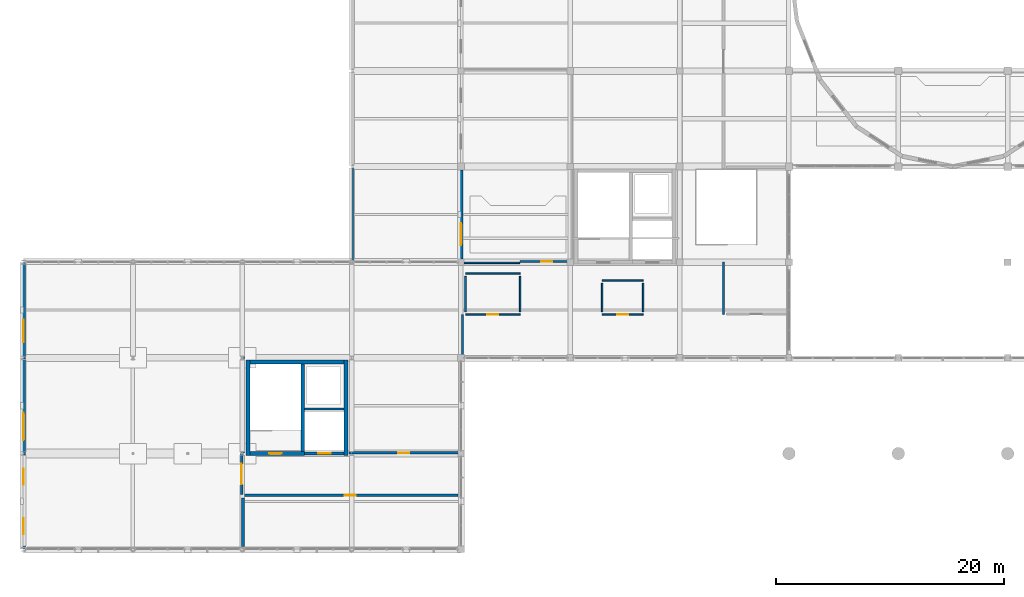
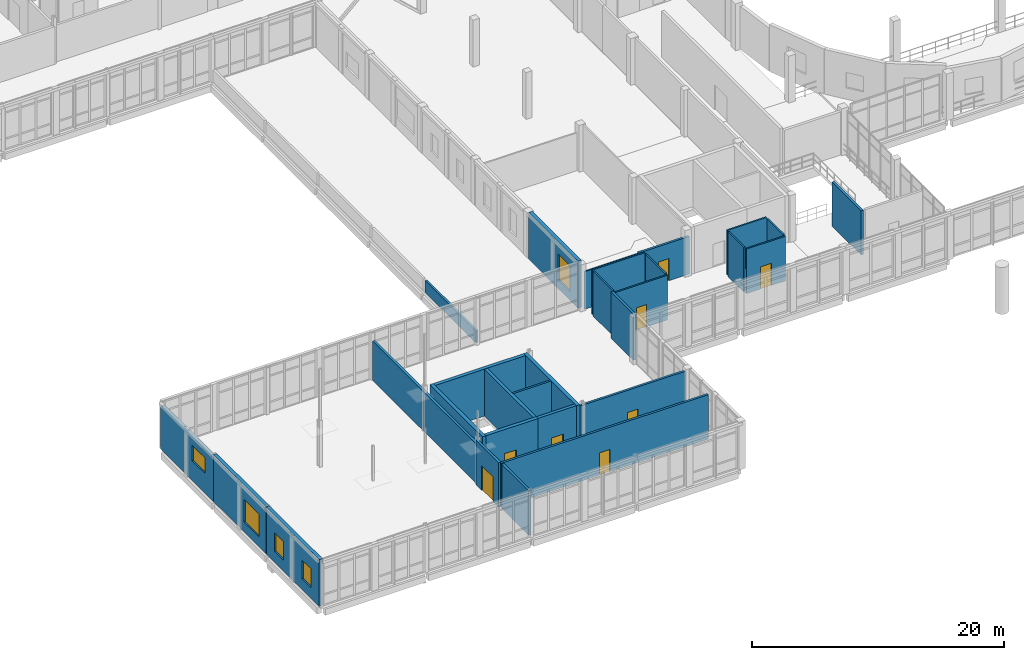
# One storey, part 72 of 88: 29 walls, 8 doors, 5 windows, 13 openings.
"""IFC4 building model written with IfcOpenShell, lengths in metres."""

from ifc_helpers import new_model, si_unit, direction, frame, frame_2d, origin, place, context, subcontext, project, spatial, rectangle, extrude, material, layer, layer_set, type_object, element, fill, save


model = new_model("IFC4")

# Units and contexts
model_context = context("Model", 3, precision=1e-05, world=origin(), true_north=direction((0.0, 1.0)))
body_context = subcontext(model_context, "Body", "Model", "MODEL_VIEW")
ifc_project = project(units=[si_unit("LENGTHUNIT", "METRE"), si_unit("AREAUNIT", "SQUARE_METRE"), si_unit("VOLUMEUNIT", "CUBIC_METRE"), si_unit("PLANEANGLEUNIT", "RADIAN"), si_unit("MASSUNIT", "GRAM", prefix="KILO")], contexts=[model_context])

# Site, building, storey
site_placement = place(None, origin())
site = spatial("IfcSite", under=ifc_project, at=site_placement, CompositionType="ELEMENT")
building_placement = place(site_placement, origin())
building = spatial("IfcBuilding", under=site, at=building_placement, Name="Lornevale Opera House", CompositionType="ELEMENT")
storey_placement = place(building_placement, frame((0.0, 0.0, 10.199951171875)))
storey = spatial("IfcBuildingStorey", under=building, at=storey_placement, Name="L03", CompositionType="ELEMENT", Elevation=10.199951171875)

# Wall, opening, door
ifc_material_1 = material(Name="Concrete 40 MPa (CSA A23.1 C-1)", Category="concrete")
ifc_layer_1 = layer(ifc_material_1, 0.320068359375)
ifc_layer_set_1 = layer_set([ifc_layer_1], Name="Concrete 40 MPa (CSA A23.1 C-1)")
wall_type_1 = type_object("IfcWallType", Name="Core Shear Wall 320", PredefinedType="SHEAR", material=ifc_layer_set_1)
wall_1_placement = place(storey_placement, frame((19.860107421875, 8.39990234375, 0.0), z_axis=(0.0, 0.0, 1.0), x_axis=(1.0, 0.0, 0.0)))
wall_1 = element("IfcWall", 1, at=wall_1_placement, inside=storey, type_object=wall_type_1, Name="Chamber Pavilion Core Core Shear Wall 320 WL-COR-0106", PredefinedType="SHEAR", context=body_context, shape_type="SweptSolid", body=[
    extrude(rectangle(XDim=4.77978515625, YDim=0.320068359375, at=frame_2d((2.389892578125, 0.0))), origin(), (0.0, 0.0, 1.0), 4.5400390625),
])
opening_1_placement = place(wall_1_placement, frame((1.68994140625, 0.0, 0.0)))
opening_1 = element("IfcOpeningElement", 2, at=opening_1_placement, cuts=wall_1, Name="Opening DR-T10", PredefinedType="OPENING", context=body_context, shape_type="SweptSolid", body=[
    extrude(rectangle(XDim=1.10009765625, YDim=2.199951171875, at=frame_2d((0.550048828125, 1.10009765625))), frame((0.0, 0.169921875, 0.0), z_axis=(0.0, -1.0, 0.0), x_axis=(1.0, 0.0, 0.0)), (0.0, 0.0, 1.0), 0.340087890625),
])
ifc_material_2 = material(Name="Painted Hollow Metal Door Steel", Category="steel")
ifc_layer_2 = layer(ifc_material_2, 2.199951171875)
ifc_layer_set_2 = layer_set([ifc_layer_2], Name="Painted Hollow Metal Door Steel")
door_type_1 = type_object("IfcDoorType", Name="Protected Exit Stair Door L 1100x2200", OperationType="NOTDEFINED", PredefinedType="DOOR", material=ifc_layer_set_2)
door_1_placement = place(opening_1_placement, origin())
door_1 = element("IfcDoor", 3, at=door_1_placement, inside=storey, type_object=door_type_1, Name="C3 Stair Door L03", OperationType="SINGLE_SWING_LEFT", OverallHeight=2.199951171875, OverallWidth=1.10009765625, PredefinedType="DOOR", context=body_context, shape_type="SweptSolid", body=[
    extrude(rectangle(XDim=1.10009765625, YDim=2.199951171875, at=frame_2d((0.550048828125, 1.10009765625))), frame((0.0, 0.02490234375, 0.0), z_axis=(0.0, -1.0, 0.0), x_axis=(1.0, 0.0, 0.0)), (0.0, 0.0, 1.0), 0.050048828125),
])
fill(opening_1, door_1)

# Walls
wall_2_placement = place(storey_placement, frame((28.139892578125, 16.43994140625, 0.0), z_axis=(0.0, 0.0, 1.0), x_axis=(-1.0, 0.0, 0.0)))
element("IfcWall", 4, at=wall_2_placement, inside=storey, type_object=wall_type_1, Name="Chamber Pavilion Core Core Shear Wall 320 WL-COR-0108", PredefinedType="SHEAR", context=body_context, shape_type="SweptSolid", body=[
    extrude(rectangle(XDim=8.27978515625, YDim=0.320068359375, at=frame_2d((4.139892578125, 0.0))), origin(), (0.0, 0.0, 1.0), 4.5400390625),
])
for number, where, z_axis, x_axis, name in (
    (5, (19.699951171875, 16.60009765625, 0.0), (0.0, 0.0, 1.0), (0.0, -1.0, 0.0), "Chamber Pavilion Core Core Shear Wall 320 WL-COR-0109"),
    (6, (28.300048828125, 8.239990234375, 0.0), (0.0, 0.0, 1.0), (0.0, 1.0, 0.0), "Chamber Pavilion Core Core Shear Wall 320 WL-COR-0110"),
):
    element("IfcWall", number, at=place(storey_placement, frame(where, z_axis=z_axis, x_axis=x_axis)), inside=storey, type_object=wall_type_1, Name=name, PredefinedType="SHEAR", context=body_context, shape_type="SweptSolid", body=[
        extrude(rectangle(XDim=8.360107421875, YDim=0.320068359375, at=frame_2d((4.18017578125, 0.0))), origin(), (0.0, 0.0, 1.0), 4.5400390625),
    ])
ifc_material_3 = material(Name="Acoustic Mineral-Core Gypsum Partition", Category="gypsum")
ifc_layer_3 = layer(ifc_material_3, 0.125)
ifc_layer_set_3 = layer_set([ifc_layer_3], Name="Acoustic Mineral-Core Gypsum Partition")
wall_type_2 = type_object("IfcWallType", Name="Dressing Suite Partition 125", PredefinedType="PARTITIONING", material=ifc_layer_set_3)
wall_3_placement = place(storey_placement, frame((38.6201171875, 25.139892578125, 0.0), z_axis=(0.0, 0.0, 1.0), x_axis=(1.0, 0.0, 0.0)))
element("IfcWall", 7, at=wall_3_placement, inside=storey, type_object=wall_type_2, Name="L03 Partition WL-INT-0854", PredefinedType="PARTITIONING", context=body_context, shape_type="SweptSolid", body=[
    extrude(rectangle(XDim=4.919921875, YDim=0.125, at=frame_2d((2.4599609375, 0.0))), origin(), (0.0, 0.0, 1.0), 3.649169921875),
])

# Wall, opening, door
ifc_layer_4 = layer(ifc_material_1, 0.280029296875)
ifc_layer_set_4 = layer_set([ifc_layer_4], Name="Concrete 40 MPa (CSA A23.1 C-1)")
wall_type_3 = type_object("IfcWallType", Name="Elevator Shaft Wall 280", PredefinedType="SHEAR", material=ifc_layer_set_4)
wall_4_placement = place(storey_placement, frame((24.639892578125, 8.39990234375, 0.0), z_axis=(0.0, 0.0, 1.0), x_axis=(1.0, 0.0, 0.0)))
wall_4 = element("IfcWall", 8, at=wall_4_placement, inside=storey, type_object=wall_type_3, Name="Chamber Pavilion Core Elevator Shaft Wall 280 WL-COR-0107", PredefinedType="SHEAR", context=body_context, shape_type="SweptSolid", body=[
    extrude(rectangle(XDim=3.5, YDim=0.280029296875, at=frame_2d((1.75, 0.0))), origin(), (0.0, 0.0, 1.0), 4.5400390625),
])
opening_2_placement = place(wall_4_placement, frame((1.2099609375, 0.0, 0.0)))
opening_2 = element("IfcOpeningElement", 9, at=opening_2_placement, cuts=wall_4, Name="Opening DR-T25", PredefinedType="OPENING", context=body_context, shape_type="SweptSolid", body=[
    extrude(rectangle(XDim=1.10009765625, YDim=2.199951171875, at=frame_2d((0.550048828125, 1.10009765625))), frame((0.0, 0.14990234375, 0.0), z_axis=(0.0, -1.0, 0.0), x_axis=(1.0, 0.0, 0.0)), (0.0, 0.0, 1.0), 0.300048828125),
])
ifc_layer_5 = layer(ifc_material_2, 2.199951171875)
ifc_layer_set_5 = layer_set([ifc_layer_5], Name="Painted Hollow Metal Door Steel")
door_type_2 = type_object("IfcDoorType", Name="Passenger Lift Landing Door 1100x2200", OperationType="NOTDEFINED", PredefinedType="DOOR", material=ifc_layer_set_5)
door_2_placement = place(opening_2_placement, origin())
door_2 = element("IfcDoor", 10, at=door_2_placement, inside=storey, type_object=door_type_2, Name="L-P3 Landing Door L03", OperationType="SLIDING_TO_LEFT", OverallHeight=2.199951171875, OverallWidth=1.10009765625, PredefinedType="DOOR", context=body_context, shape_type="SweptSolid", body=[
    extrude(rectangle(XDim=1.10009765625, YDim=2.199951171875, at=frame_2d((0.550048828125, 1.10009765625))), frame((0.0, 0.02490234375, 0.0), z_axis=(0.0, -1.0, 0.0), x_axis=(1.0, 0.0, 0.0)), (0.0, 0.0, 1.0), 0.050048828125),
])
fill(opening_2, door_2)

# Walls
wall_5_placement = place(storey_placement, frame((24.5, 8.56005859375, 0.0), z_axis=(0.0, 0.0, 1.0), x_axis=(0.0, 1.0, 0.0)))
element("IfcWall", 11, at=wall_5_placement, inside=storey, type_object=wall_type_3, Name="Chamber Pavilion Core Elevator Shaft Wall 280 WL-COR-0111", PredefinedType="SHEAR", context=body_context, shape_type="SweptSolid", body=[
    extrude(rectangle(XDim=7.719970703125, YDim=0.280029296875, at=frame_2d((3.85986328125, 0.0))), origin(), (0.0, 0.0, 1.0), 4.5400390625),
])
ifc_material_4 = material(Name="Precast Concrete 40 MPa (CSA A23.1 C-1)", Category="concrete")
ifc_layer_6 = layer(ifc_material_4, 0.195068359375)
ifc_layer_set_6 = layer_set([ifc_layer_6], Name="Precast Concrete 40 MPa (CSA A23.1 C-1)")
wall_type_4 = type_object("IfcWallType", Name="Green Roof Parapet Wall 195", PredefinedType="PARAPET", material=ifc_layer_set_6)
wall_6_placement = place(storey_placement, frame((28.929931640625, 25.360107421875, 0.0), z_axis=(0.0, 0.0, 1.0), x_axis=(0.0, 1.0, 0.0)))
element("IfcWall", 12, at=wall_6_placement, inside=storey, type_object=wall_type_4, Name="Green Roof Parapet Wall 195 0401", PredefinedType="PARAPET", context=body_context, shape_type="SweptSolid", body=[
    extrude(rectangle(XDim=8.079833984375, YDim=0.195068359375, at=frame_2d((4.0400390625, 0.0))), origin(), (0.0, 0.0, 1.0), 1.150146484375),
])

# Wall, opening, window
ifc_material_5 = material(Name="Credit Valley Sandstone Ashlar Masonry (25 MPa)", Category="masonry")
ifc_layer_7 = layer(ifc_material_5, 0.340087890625)
ifc_layer_set_7 = layer_set([ifc_layer_7], Name="Credit Valley Sandstone Ashlar Masonry (25 MPa)")
wall_type_5 = type_object("IfcWallType", Name="Polychrome Drum Cavity Wall 340", PredefinedType="SOLIDWALL", material=ifc_layer_set_7)
wall_7_placement = place(storey_placement, frame((38.39990234375, 25.47509765625, 0.0), z_axis=(0.0, 0.0, 1.0), x_axis=(0.0, 1.0, 0.0)))
wall_7 = element("IfcWall", 13, at=wall_7_placement, inside=storey, type_object=wall_type_5, Name="Polychrome Drum Cavity Wall 340 WL-EXT-0225", PredefinedType="SOLIDWALL", context=body_context, shape_type="SweptSolid", body=[
    extrude(rectangle(XDim=7.824951171875, YDim=0.340087890625, at=frame_2d((3.91259765625, 0.0))), origin(), (0.0, 0.0, 1.0), 4.5400390625),
])
opening_3_placement = place(wall_7_placement, frame((1.216064453125, 0.0, 0.85009765625)))
opening_3 = element("IfcOpeningElement", 14, at=opening_3_placement, cuts=wall_7, Name="Opening WN-T20", PredefinedType="OPENING", context=body_context, shape_type="SweptSolid", body=[
    extrude(rectangle(XDim=1.949951171875, YDim=2.5, at=frame_2d((0.97509765625, 1.25))), frame((0.0, 0.179931640625, 0.0), z_axis=(0.0, -1.0, 0.0), x_axis=(1.0, 0.0, 0.0)), (0.0, 0.0, 1.0), 0.360107421875),
])
ifc_material_6 = material(Name="Triple Low-E Insulated Glazing", Category="glass")
ifc_layer_8 = layer(ifc_material_6, 0.06005859375)
ifc_layer_set_8 = layer_set([ifc_layer_8], Name="Triple Low-E Insulated Glazing")
window_type_1 = type_object("IfcWindowType", Name="Belvedere Corner Window 1950x2500", PartitioningType="NOTDEFINED", PredefinedType="WINDOW", material=ifc_layer_set_8)
window_1_placement = place(opening_3_placement, origin())
window_1 = element("IfcWindow", 15, at=window_1_placement, inside=storey, type_object=window_type_1, Name="Belvedere Corner Window 1950x2500 WN-0069", OverallHeight=2.5, OverallWidth=1.949951171875, PartitioningType="SINGLE_PANEL", PredefinedType="WINDOW", context=body_context, shape_type="SweptSolid", body=[
    extrude(rectangle(XDim=1.949951171875, YDim=2.5, at=frame_2d((0.97509765625, 1.25))), frame((0.0, 0.030029296875, 0.0), z_axis=(0.0, -1.0, 0.0), x_axis=(1.0, 0.0, 0.0)), (0.0, 0.0, 1.0), 0.06005859375),
])
fill(opening_3, window_1)

# Wall, opening, door
ifc_layer_9 = layer(ifc_material_3, 0.199951171875)
ifc_layer_set_9 = layer_set([ifc_layer_9], Name="Acoustic Mineral-Core Gypsum Partition")
wall_type_6 = type_object("IfcWallType", Name="Practice Studio Double-Stud Wall 200", PredefinedType="SOLIDWALL", material=ifc_layer_set_9)
wall_8_placement = place(storey_placement, frame((28.550048828125, 8.4599609375, 0.0), z_axis=(0.0, 0.0, 1.0), x_axis=(1.0, 0.0, 0.0)))
wall_8 = element("IfcWall", 16, at=wall_8_placement, inside=storey, type_object=wall_type_6, Name="L03 Partition WL-INT-0816", PredefinedType="SOLIDWALL", context=body_context, shape_type="SweptSolid", body=[
    extrude(rectangle(XDim=9.6298828125, YDim=0.199951171875, at=frame_2d((4.81494140625, 0.0))), origin(), (0.0, 0.0, 1.0), 4.300048828125),
])
opening_4_placement = place(wall_8_placement, frame((4.340087890625, 0.0, 0.0)))
opening_4 = element("IfcOpeningElement", 17, at=opening_4_placement, cuts=wall_8, Name="Opening DR-T20", PredefinedType="OPENING", context=body_context, shape_type="SweptSolid", body=[
    extrude(rectangle(XDim=0.949951171875, YDim=2.14990234375, at=frame_2d((0.47509765625, 1.074951171875))), frame((0.0, 0.10986328125, 0.0), z_axis=(0.0, -1.0, 0.0), x_axis=(1.0, 0.0, 0.0)), (0.0, 0.0, 1.0), 0.219970703125),
])
ifc_material_7 = material(Name="White Oak Acoustic Panelling", Category="wood")
ifc_layer_10 = layer(ifc_material_7, 2.14990234375)
ifc_layer_set_10 = layer_set([ifc_layer_10], Name="White Oak Acoustic Panelling")
door_type_3 = type_object("IfcDoorType", Name="Soloist Dressing Door R 950x2150", OperationType="NOTDEFINED", PredefinedType="DOOR", material=ifc_layer_set_10)
door_3_placement = place(opening_4_placement, origin())
door_3 = element("IfcDoor", 18, at=door_3_placement, inside=storey, type_object=door_type_3, Name="Costume Fitting & Wig Studio Door", OperationType="SINGLE_SWING_RIGHT", OverallHeight=2.14990234375, OverallWidth=0.949951171875, PredefinedType="DOOR", context=body_context, shape_type="SweptSolid", body=[
    extrude(rectangle(XDim=0.949951171875, YDim=2.14990234375, at=frame_2d((0.47509765625, 1.074951171875))), frame((0.0, 0.02490234375, 0.0), z_axis=(0.0, -1.0, 0.0), x_axis=(1.0, 0.0, 0.0)), (0.0, 0.0, 1.0), 0.050048828125),
])
fill(opening_4, door_3)

wall_9_placement = place(storey_placement, frame((19.199951171875, 4.739990234375, 0.0), z_axis=(0.0, 0.0, 1.0), x_axis=(1.0, 0.0, 0.0)))
wall_9 = element("IfcWall", 19, at=wall_9_placement, inside=storey, type_object=wall_type_6, Name="L03 Partition WL-INT-0817", PredefinedType="SOLIDWALL", context=body_context, shape_type="SweptSolid", body=[
    extrude(rectangle(XDim=18.949951171875, YDim=0.199951171875, at=frame_2d((9.47509765625, 0.0))), origin(), (0.0, 0.0, 1.0), 4.300048828125),
])
opening_5_placement = place(wall_9_placement, frame((9.0, 0.0, 0.0)))
opening_5 = element("IfcOpeningElement", 20, at=opening_5_placement, cuts=wall_9, Name="Opening DR-T19", PredefinedType="OPENING", context=body_context, shape_type="SweptSolid", body=[
    extrude(rectangle(XDim=0.949951171875, YDim=2.14990234375, at=frame_2d((0.47509765625, 1.074951171875))), frame((0.0, 0.10986328125, 0.0), z_axis=(0.0, -1.0, 0.0), x_axis=(1.0, 0.0, 0.0)), (0.0, 0.0, 1.0), 0.219970703125),
])
ifc_layer_11 = layer(ifc_material_7, 2.14990234375)
ifc_layer_set_11 = layer_set([ifc_layer_11], Name="White Oak Acoustic Panelling")
door_type_4 = type_object("IfcDoorType", Name="Soloist Dressing Door L 950x2150", OperationType="NOTDEFINED", PredefinedType="DOOR", material=ifc_layer_set_11)
door_4_placement = place(opening_5_placement, origin())
door_4 = element("IfcDoor", 21, at=door_4_placement, inside=storey, type_object=door_type_4, Name="Costume Fitting & Wig Studio Door", OperationType="SINGLE_SWING_LEFT", OverallHeight=2.14990234375, OverallWidth=0.949951171875, PredefinedType="DOOR", context=body_context, shape_type="SweptSolid", body=[
    extrude(rectangle(XDim=0.949951171875, YDim=2.14990234375, at=frame_2d((0.47509765625, 1.074951171875))), frame((0.0, 0.02490234375, 0.0), z_axis=(0.0, -1.0, 0.0), x_axis=(1.0, 0.0, 0.0)), (0.0, 0.0, 1.0), 0.050048828125),
])
fill(opening_5, door_4)

wall_10_placement = place(storey_placement, frame((43.60009765625, 25.260009765625, 0.0), z_axis=(0.0, 0.0, 1.0), x_axis=(1.0, 0.0, 0.0)))
wall_10 = element("IfcWall", 22, at=wall_10_placement, inside=storey, type_object=wall_type_6, Name="L03 Partition WL-INT-0819", PredefinedType="SOLIDWALL", context=body_context, shape_type="SweptSolid", body=[
    extrude(rectangle(XDim=4.64990234375, YDim=0.199951171875, at=frame_2d((2.324951171875, 0.0))), origin(), (0.0, 0.0, 1.0), 3.649169921875),
])
opening_6_placement = place(wall_10_placement, frame((1.85009765625, 0.0, 0.0)))
opening_6 = element("IfcOpeningElement", 23, at=opening_6_placement, cuts=wall_10, Name="Opening DR-T20", PredefinedType="OPENING", context=body_context, shape_type="SweptSolid", body=[
    extrude(rectangle(XDim=0.949951171875, YDim=2.14990234375, at=frame_2d((0.47509765625, 1.074951171875))), frame((0.0, 0.10986328125, 0.0), z_axis=(0.0, -1.0, 0.0), x_axis=(1.0, 0.0, 0.0)), (0.0, 0.0, 1.0), 0.219970703125),
])
door_5_placement = place(opening_6_placement, origin())
door_5 = element("IfcDoor", 24, at=door_5_placement, inside=storey, type_object=door_type_3, Name="Dress Circle Foyer Salon Door", OperationType="SINGLE_SWING_RIGHT", OverallHeight=2.14990234375, OverallWidth=0.949951171875, PredefinedType="DOOR", context=body_context, shape_type="SweptSolid", body=[
    extrude(rectangle(XDim=0.949951171875, YDim=2.14990234375, at=frame_2d((0.47509765625, 1.074951171875))), frame((0.0, 0.02490234375, 0.0), z_axis=(0.0, -1.0, 0.0), x_axis=(1.0, 0.0, 0.0)), (0.0, 0.0, 1.0), 0.050048828125),
])
fill(opening_6, door_5)

# Walls
wall_11_placement = place(storey_placement, frame((38.5400390625, 17.02001953125, 0.0), z_axis=(0.0, 0.0, 1.0), x_axis=(0.0, 1.0, 0.0)))
element("IfcWall", 25, at=wall_11_placement, inside=storey, type_object=wall_type_6, Name="L03 Partition WL-INT-0833", PredefinedType="SOLIDWALL", context=body_context, shape_type="SweptSolid", body=[
    extrude(rectangle(XDim=3.580078125, YDim=0.199951171875, at=frame_2d((1.7900390625, 0.0))), origin(), (0.0, 0.0, 1.0), 4.47998046875),
])
wall_12_placement = place(storey_placement, frame((61.4599609375, 20.60009765625, 0.0), z_axis=(0.0, 0.0, 1.0), x_axis=(0.0, 1.0, 0.0)))
element("IfcWall", 26, at=wall_12_placement, inside=storey, type_object=wall_type_6, Name="L03 Partition WL-INT-0834", PredefinedType="SOLIDWALL", context=body_context, shape_type="SweptSolid", body=[
    extrude(rectangle(XDim=4.599853515625, YDim=0.199951171875, at=frame_2d((2.2998046875, 0.0))), origin(), (0.0, 0.0, 1.0), 4.300048828125),
])

# Wall, openings, windows
ifc_material_8 = material(Name="Queenston Buff Limestone Ashlar Masonry (25 MPa)", Category="masonry")
ifc_layer_12 = layer(ifc_material_8, 0.31005859375)
ifc_layer_set_12 = layer_set([ifc_layer_12], Name="Queenston Buff Limestone Ashlar Masonry (25 MPa)")
wall_type_7 = type_object("IfcWallType", Name="Rehearsal Pavilion Limestone Wall 310", PredefinedType="SOLIDWALL", material=ifc_layer_set_12)
wall_13_placement = place(storey_placement, frame((0.0, 0.02001953125, 0.0), z_axis=(0.0, 0.0, 1.0), x_axis=(0.0, 1.0, 0.0)))
wall_13 = element("IfcWall", 27, at=wall_13_placement, inside=storey, type_object=wall_type_7, Name="Rehearsal Pavilion Limestone Wall 310 WL-EXT-0218", PredefinedType="SOLIDWALL", context=body_context, shape_type="SweptSolid", body=[
    extrude(rectangle(XDim=8.35986328125, YDim=0.31005859375, at=frame_2d((4.179931640625, 0.0))), origin(), (0.0, 0.0, 1.0), 4.5400390625),
])
opening_7_placement = place(wall_13_placement, frame((1.305908203125, 0.0, 1.050048828125)))
opening_7 = element("IfcOpeningElement", 28, at=opening_7_placement, cuts=wall_13, Name="Opening WN-T05", PredefinedType="OPENING", context=body_context, shape_type="SweptSolid", body=[
    extrude(rectangle(XDim=1.39990234375, YDim=1.800048828125, at=frame_2d((0.699951171875, 0.89990234375))), frame((0.0, 0.1650390625, 0.0), z_axis=(0.0, -1.0, 0.0), x_axis=(1.0, 0.0, 0.0)), (0.0, 0.0, 1.0), 0.330078125),
])
opening_8_placement = place(wall_13_placement, frame((5.654052734375, 0.0, 1.050048828125)))
opening_8 = element("IfcOpeningElement", 29, at=opening_8_placement, cuts=wall_13, Name="Opening WN-T05", PredefinedType="OPENING", context=body_context, shape_type="SweptSolid", body=[
    extrude(rectangle(XDim=1.39990234375, YDim=1.800048828125, at=frame_2d((0.699951171875, 0.89990234375))), frame((0.0, 0.1650390625, 0.0), z_axis=(0.0, -1.0, 0.0), x_axis=(1.0, 0.0, 0.0)), (0.0, 0.0, 1.0), 0.330078125),
])
ifc_layer_13 = layer(ifc_material_6, 0.06005859375)
ifc_layer_set_13 = layer_set([ifc_layer_13], Name="Triple Low-E Insulated Glazing")
window_type_2 = type_object("IfcWindowType", Name="Dressing Suite Operable Window 1400x1800", PartitioningType="NOTDEFINED", PredefinedType="WINDOW", material=ifc_layer_set_13)
window_2_placement = place(opening_7_placement, origin())
window_2 = element("IfcWindow", 30, at=window_2_placement, inside=storey, type_object=window_type_2, Name="Dressing Suite Operable Window 1400x1800 WN-0061", OverallHeight=1.800048828125, OverallWidth=1.39990234375, PartitioningType="SINGLE_PANEL", PredefinedType="WINDOW", context=body_context, shape_type="SweptSolid", body=[
    extrude(rectangle(XDim=1.39990234375, YDim=1.800048828125, at=frame_2d((0.699951171875, 0.89990234375))), frame((0.0, 0.030029296875, 0.0), z_axis=(0.0, -1.0, 0.0), x_axis=(1.0, 0.0, 0.0)), (0.0, 0.0, 1.0), 0.06005859375),
])
fill(opening_7, window_2)
window_3_placement = place(opening_8_placement, origin())
window_3 = element("IfcWindow", 31, at=window_3_placement, inside=storey, type_object=window_type_2, Name="Dressing Suite Operable Window 1400x1800 WN-0062", OverallHeight=1.800048828125, OverallWidth=1.39990234375, PartitioningType="SINGLE_PANEL", PredefinedType="WINDOW", context=body_context, shape_type="SweptSolid", body=[
    extrude(rectangle(XDim=1.39990234375, YDim=1.800048828125, at=frame_2d((0.699951171875, 0.89990234375))), frame((0.0, 0.030029296875, 0.0), z_axis=(0.0, -1.0, 0.0), x_axis=(1.0, 0.0, 0.0)), (0.0, 0.0, 1.0), 0.06005859375),
])
fill(opening_8, window_3)

# Wall, opening, window
wall_14_placement = place(storey_placement, frame((0.0, 8.419921875, 0.0), z_axis=(0.0, 0.0, 1.0), x_axis=(0.0, 1.0, 0.0)))
wall_14 = element("IfcWall", 32, at=wall_14_placement, inside=storey, type_object=wall_type_7, Name="Rehearsal Pavilion Limestone Wall 310 WL-EXT-0219", PredefinedType="SOLIDWALL", context=body_context, shape_type="SweptSolid", body=[
    extrude(rectangle(XDim=8.360107421875, YDim=0.31005859375, at=frame_2d((4.18017578125, 0.0))), origin(), (0.0, 0.0, 1.0), 4.5400390625),
])
opening_9_placement = place(wall_14_placement, frame((1.14111328125, 0.0, 0.949951171875)))
opening_9 = element("IfcOpeningElement", 33, at=opening_9_placement, cuts=wall_14, Name="Opening WN-T08", PredefinedType="OPENING", context=body_context, shape_type="SweptSolid", body=[
    extrude(rectangle(XDim=2.39990234375, YDim=2.199951171875, at=frame_2d((1.199951171875, 1.10009765625))), frame((0.0, 0.1650390625, 0.0), z_axis=(0.0, -1.0, 0.0), x_axis=(1.0, 0.0, 0.0)), (0.0, 0.0, 1.0), 0.330078125),
])
ifc_layer_14 = layer(ifc_material_6, 0.06005859375)
ifc_layer_set_14 = layer_set([ifc_layer_14], Name="Triple Low-E Insulated Glazing")
window_type_3 = type_object("IfcWindowType", Name="Conservatory Window 2400x2200", PartitioningType="NOTDEFINED", PredefinedType="WINDOW", material=ifc_layer_set_14)
window_4_placement = place(opening_9_placement, origin())
window_4 = element("IfcWindow", 34, at=window_4_placement, inside=storey, type_object=window_type_3, Name="Conservatory Window 2400x2200 WN-0063", OverallHeight=2.199951171875, OverallWidth=2.39990234375, PartitioningType="SINGLE_PANEL", PredefinedType="WINDOW", context=body_context, shape_type="SweptSolid", body=[
    extrude(rectangle(XDim=2.39990234375, YDim=2.199951171875, at=frame_2d((1.199951171875, 1.10009765625))), frame((0.0, 0.030029296875, 0.0), z_axis=(0.0, -1.0, 0.0), x_axis=(1.0, 0.0, 0.0)), (0.0, 0.0, 1.0), 0.06005859375),
])
fill(opening_9, window_4)

wall_15_placement = place(storey_placement, frame((0.0, 16.820068359375, 0.0), z_axis=(0.0, 0.0, 1.0), x_axis=(0.0, 1.0, 0.0)))
wall_15 = element("IfcWall", 35, at=wall_15_placement, inside=storey, type_object=wall_type_7, Name="Rehearsal Pavilion Limestone Wall 310 WL-EXT-0220", PredefinedType="SOLIDWALL", context=body_context, shape_type="SweptSolid", body=[
    extrude(rectangle(XDim=8.35986328125, YDim=0.31005859375, at=frame_2d((4.179931640625, 0.0))), origin(), (0.0, 0.0, 1.0), 4.177978515625),
])
opening_10_placement = place(wall_15_placement, frame((1.341064453125, 0.0, 1.89990234375)))
opening_10 = element("IfcOpeningElement", 36, at=opening_10_placement, cuts=wall_15, Name="Opening WN-T11", PredefinedType="OPENING", context=body_context, shape_type="SweptSolid", body=[
    extrude(rectangle(XDim=2.0, YDim=1.5, at=frame_2d((1.0, 0.75))), frame((0.0, 0.1650390625, 0.0), z_axis=(0.0, -1.0, 0.0), x_axis=(1.0, 0.0, 0.0)), (0.0, 0.0, 1.0), 0.330078125),
])
ifc_layer_15 = layer(ifc_material_6, 0.06005859375)
ifc_layer_set_15 = layer_set([ifc_layer_15], Name="Triple Low-E Insulated Glazing")
window_type_4 = type_object("IfcWindowType", Name="Workshop Operable Window 2000x1500", PartitioningType="NOTDEFINED", PredefinedType="WINDOW", material=ifc_layer_set_15)
window_5_placement = place(opening_10_placement, origin())
window_5 = element("IfcWindow", 37, at=window_5_placement, inside=storey, type_object=window_type_4, Name="Workshop Operable Window 2000x1500 WN-0064", OverallHeight=1.5, OverallWidth=2.0, PartitioningType="SINGLE_PANEL", PredefinedType="WINDOW", context=body_context, shape_type="SweptSolid", body=[
    extrude(rectangle(XDim=2.0, YDim=1.5, at=frame_2d((1.0, 0.75))), frame((0.0, 0.030029296875, 0.0), z_axis=(0.0, -1.0, 0.0), x_axis=(1.0, 0.0, 0.0)), (0.0, 0.0, 1.0), 0.06005859375),
])
fill(opening_10, window_5)

# Wall, opening, door
ifc_layer_16 = layer(ifc_material_3, 0.22998046875)
ifc_layer_set_16 = layer_set([ifc_layer_16], Name="Acoustic Mineral-Core Gypsum Partition")
wall_type_8 = type_object("IfcWallType", Name="Rehearsal Studio Acoustic Wall 230", PredefinedType="SOLIDWALL", material=ifc_layer_set_16)
wall_16_placement = place(storey_placement, frame((19.139892578125, 4.800048828125, 0.0), z_axis=(0.0, 0.0, 1.0), x_axis=(0.0, 1.0, 0.0)))
wall_16 = element("IfcWall", 38, at=wall_16_placement, inside=storey, type_object=wall_type_8, Name="L03 Partition WL-INT-0815", PredefinedType="SOLIDWALL", context=body_context, shape_type="SweptSolid", body=[
    extrude(rectangle(XDim=3.599853515625, YDim=0.22998046875, at=frame_2d((1.7998046875, 0.0))), origin(), (0.0, 0.0, 1.0), 4.300048828125),
])
opening_11_placement = place(wall_16_placement, frame((0.89990234375, 0.0, 0.0)))
opening_11 = element("IfcOpeningElement", 39, at=opening_11_placement, cuts=wall_16, Name="Opening DR-T18", PredefinedType="OPENING", context=body_context, shape_type="SweptSolid", body=[
    extrude(rectangle(XDim=1.800048828125, YDim=2.39990234375, at=frame_2d((0.89990234375, 1.199951171875))), frame((0.0, 0.125, 0.0), z_axis=(0.0, -1.0, 0.0), x_axis=(1.0, 0.0, 0.0)), (0.0, 0.0, 1.0), 0.25),
])
ifc_layer_17 = layer(ifc_material_7, 2.39990234375)
ifc_layer_set_17 = layer_set([ifc_layer_17], Name="White Oak Acoustic Panelling")
door_type_5 = type_object("IfcDoorType", Name="Rehearsal Studio Pair 1800x2400", OperationType="NOTDEFINED", PredefinedType="DOOR", material=ifc_layer_set_17)
door_6_placement = place(opening_11_placement, origin())
door_6 = element("IfcDoor", 40, at=door_6_placement, inside=storey, type_object=door_type_5, Name="Orchestra Rehearsal Hall Door", OperationType="DOUBLE_SWING_LEFT", OverallHeight=2.39990234375, OverallWidth=1.800048828125, PredefinedType="DOOR", context=body_context, shape_type="SweptSolid", body=[
    extrude(rectangle(XDim=1.800048828125, YDim=2.39990234375, at=frame_2d((0.89990234375, 1.199951171875))), frame((0.0, 0.02490234375, 0.0), z_axis=(0.0, -1.0, 0.0), x_axis=(1.0, 0.0, 0.0)), (0.0, 0.0, 1.0), 0.050048828125),
])
fill(opening_11, door_6)

# Walls
wall_17_placement = place(storey_placement, frame((19.260009765625, 8.4599609375, 0.0), z_axis=(0.0, 0.0, 1.0), x_axis=(0.0, 1.0, 0.0)))
element("IfcWall", 41, at=wall_17_placement, inside=storey, type_object=wall_type_8, Name="L03 Partition WL-INT-0856", PredefinedType="SOLIDWALL", context=body_context, shape_type="SweptSolid", body=[
    extrude(rectangle(XDim=16.52001953125, YDim=0.22998046875, at=frame_2d((8.260009765625, 0.0))), origin(), (0.0, 0.0, 1.0), 3.80712890625),
])
wall_18_placement = place(storey_placement, frame((19.260009765625, 0.219970703125, 0.0), z_axis=(0.0, 0.0, 1.0), x_axis=(0.0, 1.0, 0.0)))
element("IfcWall", 42, at=wall_18_placement, inside=storey, type_object=wall_type_8, Name="L03 Partition WL-INT-0857", PredefinedType="SOLIDWALL", context=body_context, shape_type="SweptSolid", body=[
    extrude(rectangle(XDim=4.27001953125, YDim=0.22998046875, at=frame_2d((2.135009765625, 0.0))), origin(), (0.0, 0.0, 1.0), 4.300048828125),
])
ifc_material_9 = material(Name="Moisture-Resistant Ceramic & Gypsum Partition", Category="gypsum")
ifc_layer_18 = layer(ifc_material_9, 0.179931640625)
ifc_layer_set_18 = layer_set([ifc_layer_18], Name="Moisture-Resistant Ceramic & Gypsum Partition")
wall_type_9 = type_object("IfcWallType", Name="Riser Shaft Wall 180", PredefinedType="SOLIDWALL", material=ifc_layer_set_18)
wall_19_placement = place(storey_placement, frame((24.639892578125, 12.300048828125, 0.0), z_axis=(0.0, 0.0, 1.0), x_axis=(1.0, 0.0, 0.0)))
element("IfcWall", 43, at=wall_19_placement, inside=storey, type_object=wall_type_9, Name="Chamber Pavilion Core Riser Shaft Wall 180 WL-COR-0112", PredefinedType="SOLIDWALL", context=body_context, shape_type="SweptSolid", body=[
    extrude(rectangle(XDim=3.5, YDim=0.179931640625, at=frame_2d((1.75, 0.0))), origin(), (0.0, 0.0, 1.0), 4.5400390625),
])

# Wall, opening, door
ifc_layer_19 = layer(ifc_material_9, 0.139892578125)
ifc_layer_set_19 = layer_set([ifc_layer_19], Name="Moisture-Resistant Ceramic & Gypsum Partition")
wall_type_10 = type_object("IfcWallType", Name="Washroom Moisture Partition 140", PredefinedType="PARTITIONING", material=ifc_layer_set_19)
wall_20_placement = place(storey_placement, frame((38.800048828125, 20.60009765625, 0.0), z_axis=(0.0, 0.0, 1.0), x_axis=(1.0, 0.0, 0.0)))
wall_20 = element("IfcWall", 44, at=wall_20_placement, inside=storey, type_object=wall_type_10, Name="Dress Circle Washroom West S Wall WL-INT-0484", PredefinedType="PARTITIONING", context=body_context, shape_type="SweptSolid", body=[
    extrude(rectangle(XDim=4.800048828125, YDim=0.139892578125, at=frame_2d((2.39990234375, 0.0))), origin(), (0.0, 0.0, 1.0), 4.320068359375),
])
opening_12_placement = place(wall_20_placement, frame((1.925048828125, 0.0, 0.0)))
opening_12 = element("IfcOpeningElement", 45, at=opening_12_placement, cuts=wall_20, Name="Opening DR-T22", PredefinedType="OPENING", context=body_context, shape_type="SweptSolid", body=[
    extrude(rectangle(XDim=0.949951171875, YDim=2.14990234375, at=frame_2d((0.47509765625, 1.074951171875))), frame((0.0, 0.079833984375, 0.0), z_axis=(0.0, -1.0, 0.0), x_axis=(1.0, 0.0, 0.0)), (0.0, 0.0, 1.0), 0.159912109375),
])
ifc_layer_20 = layer(ifc_material_7, 2.14990234375)
ifc_layer_set_20 = layer_set([ifc_layer_20], Name="White Oak Acoustic Panelling")
door_type_6 = type_object("IfcDoorType", Name="Washroom Door R 950x2150", OperationType="NOTDEFINED", PredefinedType="DOOR", material=ifc_layer_set_20)
door_7_placement = place(opening_12_placement, origin())
door_7 = element("IfcDoor", 46, at=door_7_placement, inside=storey, type_object=door_type_6, Name="Dress Circle Washroom West Door", OperationType="SINGLE_SWING_RIGHT", OverallHeight=2.14990234375, OverallWidth=0.949951171875, PredefinedType="DOOR", context=body_context, shape_type="SweptSolid", body=[
    extrude(rectangle(XDim=0.949951171875, YDim=2.14990234375, at=frame_2d((0.47509765625, 1.074951171875))), frame((0.0, 0.02490234375, 0.0), z_axis=(0.0, -1.0, 0.0), x_axis=(1.0, 0.0, 0.0)), (0.0, 0.0, 1.0), 0.050048828125),
])
fill(opening_12, door_7)

# Walls
wall_21_placement = place(storey_placement, frame((38.800048828125, 24.199951171875, 0.0), z_axis=(0.0, 0.0, 1.0), x_axis=(1.0, 0.0, 0.0)))
element("IfcWall", 47, at=wall_21_placement, inside=storey, type_object=wall_type_10, Name="Dress Circle Washroom West N Wall WL-INT-0485", PredefinedType="PARTITIONING", context=body_context, shape_type="SweptSolid", body=[
    extrude(rectangle(XDim=4.800048828125, YDim=0.139892578125, at=frame_2d((2.39990234375, 0.0))), origin(), (0.0, 0.0, 1.0), 4.320068359375),
])
for number, where, z_axis, x_axis, name in (
    (48, (38.800048828125, 20.85009765625, 0.0), (0.0, 0.0, 1.0), (0.0, 1.0, 0.0), "Dress Circle Washroom West W Wall WL-INT-0486"),
    (49, (43.60009765625, 20.85009765625, 0.0), (0.0, 0.0, 1.0), (0.0, 1.0, 0.0), "Dress Circle Washroom West E Wall WL-INT-0487"),
):
    element("IfcWall", number, at=place(storey_placement, frame(where, z_axis=z_axis, x_axis=x_axis)), inside=storey, type_object=wall_type_10, Name=name, PredefinedType="PARTITIONING", context=body_context, shape_type="SweptSolid", body=[
        extrude(rectangle(XDim=3.099853515625, YDim=0.139892578125, at=frame_2d((1.5498046875, 0.0))), origin(), (0.0, 0.0, 1.0), 4.320068359375),
    ])

# Wall, opening, door
wall_22_placement = place(storey_placement, frame((50.800048828125, 20.60009765625, 0.0), z_axis=(0.0, 0.0, 1.0), x_axis=(1.0, 0.0, 0.0)))
wall_22 = element("IfcWall", 50, at=wall_22_placement, inside=storey, type_object=wall_type_10, Name="Dress Circle Accessible WC S Wall WL-INT-0492", PredefinedType="PARTITIONING", context=body_context, shape_type="SweptSolid", body=[
    extrude(rectangle(XDim=3.599853515625, YDim=0.139892578125, at=frame_2d((1.7998046875, 0.0))), origin(), (0.0, 0.0, 1.0), 4.320068359375),
])
opening_13_placement = place(wall_22_placement, frame((1.300048828125, 0.0, 0.0)))
opening_13 = element("IfcOpeningElement", 51, at=opening_13_placement, cuts=wall_22, Name="Opening DR-T23", PredefinedType="OPENING", context=body_context, shape_type="SweptSolid", body=[
    extrude(rectangle(XDim=1.0, YDim=2.14990234375, at=frame_2d((0.5, 1.074951171875))), frame((0.0, 0.079833984375, 0.0), z_axis=(0.0, -1.0, 0.0), x_axis=(1.0, 0.0, 0.0)), (0.0, 0.0, 1.0), 0.159912109375),
])
ifc_layer_21 = layer(ifc_material_7, 2.14990234375)
ifc_layer_set_21 = layer_set([ifc_layer_21], Name="White Oak Acoustic Panelling")
door_type_7 = type_object("IfcDoorType", Name="Accessible WC Door L 1000x2150", OperationType="NOTDEFINED", PredefinedType="DOOR", material=ifc_layer_set_21)
door_8_placement = place(opening_13_placement, origin())
door_8 = element("IfcDoor", 52, at=door_8_placement, inside=storey, type_object=door_type_7, Name="Dress Circle Accessible WC Door", OperationType="SINGLE_SWING_LEFT", OverallHeight=2.14990234375, OverallWidth=1.0, PredefinedType="DOOR", context=body_context, shape_type="SweptSolid", body=[
    extrude(rectangle(XDim=1.0, YDim=2.14990234375, at=frame_2d((0.5, 1.074951171875))), frame((0.0, 0.02490234375, 0.0), z_axis=(0.0, -1.0, 0.0), x_axis=(1.0, 0.0, 0.0)), (0.0, 0.0, 1.0), 0.050048828125),
])
fill(opening_13, door_8)

# Walls
wall_23_placement = place(storey_placement, frame((50.800048828125, 23.60009765625, 0.0), z_axis=(0.0, 0.0, 1.0), x_axis=(1.0, 0.0, 0.0)))
element("IfcWall", 53, at=wall_23_placement, inside=storey, type_object=wall_type_10, Name="Dress Circle Accessible WC N Wall WL-INT-0493", PredefinedType="PARTITIONING", context=body_context, shape_type="SweptSolid", body=[
    extrude(rectangle(XDim=3.599853515625, YDim=0.139892578125, at=frame_2d((1.7998046875, 0.0))), origin(), (0.0, 0.0, 1.0), 4.320068359375),
])
for number, where, z_axis, x_axis, name in (
    (54, (50.800048828125, 20.85009765625, 0.0), (0.0, 0.0, 1.0), (0.0, 1.0, 0.0), "Dress Circle Accessible WC W Wall WL-INT-0494"),
    (55, (54.39990234375, 20.85009765625, 0.0), (0.0, 0.0, 1.0), (0.0, 1.0, 0.0), "Dress Circle Accessible WC E Wall WL-INT-0495"),
):
    element("IfcWall", number, at=place(storey_placement, frame(where, z_axis=z_axis, x_axis=x_axis)), inside=storey, type_object=wall_type_10, Name=name, PredefinedType="PARTITIONING", context=body_context, shape_type="SweptSolid", body=[
        extrude(rectangle(XDim=2.5, YDim=0.139892578125, at=frame_2d((1.25, 0.0))), origin(), (0.0, 0.0, 1.0), 4.320068359375),
    ])

save(model, "model.ifc")
